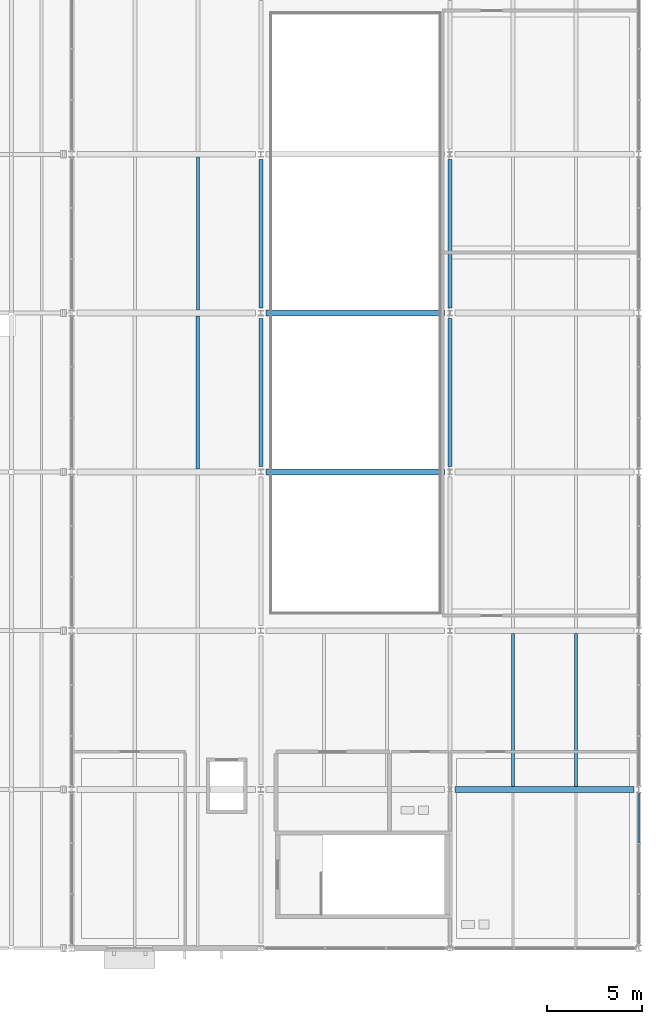
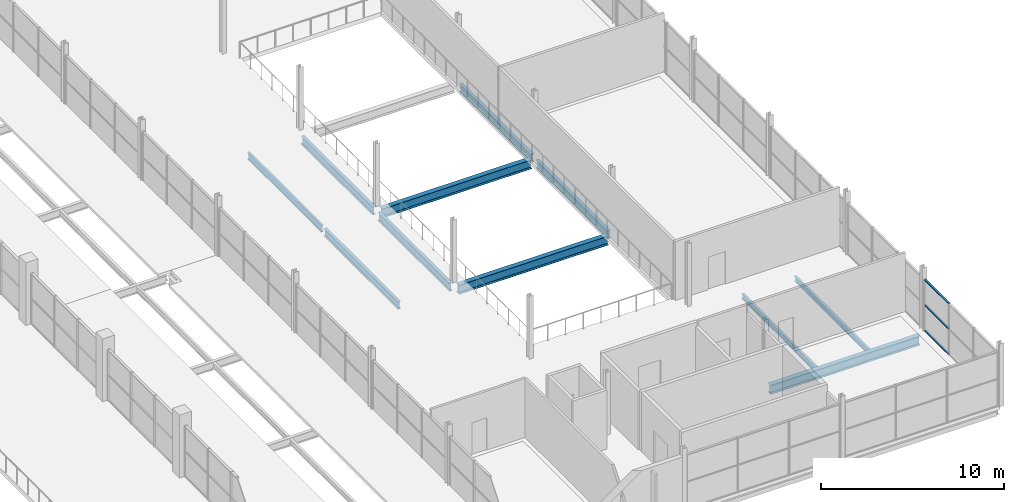
# One storey, part 103 of 161: 11 beams, 3 members, 1 element without a shape of its own.
"""IFC4 building model written with IfcOpenShell, lengths in metres."""

from ifc_helpers import new_model, si_unit, direction, frame, origin, origin_2d, place, context, subcontext, project, spatial, hollow_rectangle, i_section, extrude, material, material_profile, profile_set, type_object, element, aggregate, save


model = new_model("IFC4")

# Units and contexts
model_context = context("Model", 3, precision=1e-05, world=origin(), true_north=direction((0.0, 1.0)))
body_context = subcontext(model_context, "Body", "Model", "MODEL_VIEW")
ifc_project = project(units=[si_unit("LENGTHUNIT", "METRE"), si_unit("AREAUNIT", "SQUARE_METRE"), si_unit("VOLUMEUNIT", "CUBIC_METRE"), si_unit("PLANEANGLEUNIT", "RADIAN"), si_unit("MASSUNIT", "GRAM", prefix="KILO"), si_unit("THERMODYNAMICTEMPERATUREUNIT", "KELVIN")], contexts=[model_context])

# Site, building, storey
site_placement = place(None, origin())
site = spatial("IfcSite", under=ifc_project, at=site_placement, CompositionType="ELEMENT")
building_placement = place(site_placement, origin())
building = spatial("IfcBuilding", under=site, at=building_placement, Name="Nduvali Passage Aquatics Centre", CompositionType="ELEMENT")
storey_placement = place(building_placement, frame((0.0, 0.0, 4.800048828125)))
storey = spatial("IfcBuildingStorey", under=building, at=storey_placement, Name="L01", CompositionType="ELEMENT", Elevation=4.800048828125)

# Curtain wall, members
ifc_material_1 = material(Name="Aluminium EN AW-6063 T6", Category="aluminium")
curtain_wall_type = type_object("IfcCurtainWallType", Name="ENV-CW-FOYR", PredefinedType="NOTDEFINED", material=ifc_material_1)
curtain_wall_placement = place(storey_placement, origin())
curtain_wall = element("IfcCurtainWall", 1, at=curtain_wall_placement, inside=storey, type_object=curtain_wall_type, Name="L01 East Avenue Entrance End Upper CW 080", PredefinedType="NOTDEFINED")
ifc_material_profile_1 = material_profile(ifc_material_1, hollow_rectangle(XDim=0.1201171875, YDim=0.06005859375, WallThickness=0.00390625, at=origin_2d()), Name="ALU TRANSOM 120x60x4")
ifc_profile_set_1 = profile_set([ifc_material_profile_1], Name="Aluminium EN AW-6063 T6")
member_type = type_object("IfcMemberType", Name="ENV-MEM-TRN60", PredefinedType="USERDEFINED", material=ifc_profile_set_1)
member_1_placement = place(storey_placement, frame((168.0, 30.7783203125, 0.030029296875), z_axis=(0.0, 1.0, 0.0), x_axis=(-1.0, 0.0, 0.0)))
member_1 = element("IfcMember", 2, at=member_1_placement, type_object=member_type, Name="East Avenue Entrance End Upper CW Transom B3-R0", ObjectType="TRANSOM", PredefinedType="USERDEFINED", context=body_context, shape_type="SweptSolid", body=[
    extrude(hollow_rectangle(XDim=0.1201171875, YDim=0.06005859375, WallThickness=0.00390625, at=origin_2d()), origin(), (0.0, 0.0, 1.0), 2.606689453125),
])
member_2_placement = place(storey_placement, frame((168.0, 30.7783203125, 1.71826171875), z_axis=(0.0, 1.0, 0.0), x_axis=(-1.0, 0.0, 0.0)))
member_2 = element("IfcMember", 3, at=member_2_placement, type_object=member_type, Name="East Avenue Entrance End Upper CW Transom B3-R1", ObjectType="TRANSOM", PredefinedType="USERDEFINED", context=body_context, shape_type="SweptSolid", body=[
    extrude(hollow_rectangle(XDim=0.1201171875, YDim=0.06005859375, WallThickness=0.00390625, at=origin_2d()), origin(), (0.0, 0.0, 1.0), 2.606689453125),
])
member_3_placement = place(storey_placement, frame((168.0, 30.7783203125, 3.40625), z_axis=(0.0, 1.0, 0.0), x_axis=(-1.0, 0.0, 0.0)))
member_3 = element("IfcMember", 4, at=member_3_placement, type_object=member_type, Name="East Avenue Entrance End Upper CW Transom B3-R2", ObjectType="TRANSOM", PredefinedType="USERDEFINED", context=body_context, shape_type="SweptSolid", body=[
    extrude(hollow_rectangle(XDim=0.1201171875, YDim=0.06005859375, WallThickness=0.00390625, at=origin_2d()), origin(), (0.0, 0.0, 1.0), 2.606689453125),
])
aggregate(curtain_wall, [member_1, member_2, member_3])

# Beams
ifc_material_2 = material(Name="Steel S355", Category="steel")
ifc_material_profile_2 = material_profile(ifc_material_2, i_section(OverallWidth=0.210693359375, OverallDepth=0.53955078125, WebThickness=0.01171875, FlangeThickness=0.018798828125, FilletRadius=0.0126953125, at=origin_2d()), Name="UKB 533x210x109")
ifc_profile_set_2 = profile_set([ifc_material_profile_2], Name="Steel S355")
beam_type_1 = type_object("IfcBeamType", Name="STR-BM-UKB533", PredefinedType="BEAM", material=ifc_profile_set_2)
beam_1_placement = place(storey_placement, frame((148.0, 50.675048828125, -0.553955078125), z_axis=(0.0, 1.0, 0.0), x_axis=(-1.0, 0.0, 0.0)))
element("IfcBeam", 5, at=beam_1_placement, inside=storey, type_object=beam_type_1, Name="L01 Primary Y-Girder B6-0669", PredefinedType="BEAM", context=body_context, shape_type="SweptSolid", body=[
    extrude(i_section(OverallWidth=0.210693359375, OverallDepth=0.53955078125, WebThickness=0.01171875, FlangeThickness=0.018798828125, FilletRadius=0.0126953125, at=origin_2d()), origin(), (0.0, 0.0, 1.0), 7.849853515625),
])
beam_2_placement = place(storey_placement, frame((148.0, 59.074951171875, -0.553955078125), z_axis=(0.0, 1.0, 0.0), x_axis=(-1.0, 0.0, 0.0)))
element("IfcBeam", 6, at=beam_2_placement, inside=storey, type_object=beam_type_1, Name="L01 Primary Y-Girder B6-0670", PredefinedType="BEAM", context=body_context, shape_type="SweptSolid", body=[
    extrude(i_section(OverallWidth=0.210693359375, OverallDepth=0.53955078125, WebThickness=0.01171875, FlangeThickness=0.018798828125, FilletRadius=0.0126953125, at=origin_2d()), origin(), (0.0, 0.0, 1.0), 7.85009765625),
])
beam_3_placement = place(storey_placement, frame((158.0, 50.675048828125, -0.553955078125), z_axis=(0.0, 1.0, 0.0), x_axis=(-1.0, 0.0, 0.0)))
element("IfcBeam", 7, at=beam_3_placement, inside=storey, type_object=beam_type_1, Name="L01 Primary Y-Girder B6-0677", PredefinedType="BEAM", context=body_context, shape_type="SweptSolid", body=[
    extrude(i_section(OverallWidth=0.210693359375, OverallDepth=0.53955078125, WebThickness=0.01171875, FlangeThickness=0.018798828125, FilletRadius=0.0126953125, at=origin_2d()), origin(), (0.0, 0.0, 1.0), 7.849853515625),
])
beam_4_placement = place(storey_placement, frame((158.0, 59.074951171875, -0.553955078125), z_axis=(0.0, 1.0, 0.0), x_axis=(-1.0, 0.0, 0.0)))
element("IfcBeam", 8, at=beam_4_placement, inside=storey, type_object=beam_type_1, Name="L01 Primary Y-Girder B6-0678", PredefinedType="BEAM", context=body_context, shape_type="SweptSolid", body=[
    extrude(i_section(OverallWidth=0.210693359375, OverallDepth=0.53955078125, WebThickness=0.01171875, FlangeThickness=0.018798828125, FilletRadius=0.0126953125, at=origin_2d()), origin(), (0.0, 0.0, 1.0), 7.85009765625),
])
ifc_material_profile_3 = material_profile(ifc_material_2, i_section(OverallWidth=0.3046875, OverallDepth=0.6123046875, WebThickness=0.01171875, FlangeThickness=0.019775390625, FilletRadius=0.0166015625, at=origin_2d()), Name="UKB 610x305x149")
ifc_profile_set_3 = profile_set([ifc_material_profile_3], Name="Steel S355")
beam_type_2 = type_object("IfcBeamType", Name="STR-BM-UKB610W", PredefinedType="BEAM", material=ifc_profile_set_3)
for number, where, z_axis, x_axis, name in (
    (9, (158.27490234375, 33.60009765625, -0.59033203125), (1.0, 0.0, 0.0), (0.0, 1.0, 0.0), "L01 Primary X-Girder B5A-0471"),
    (10, (148.27490234375, 50.39990234375, -0.59033203125), (1.0, 0.0, 0.0), (0.0, 1.0, 0.0), "L01 Primary X-Girder B5A-0485"),
    (11, (148.27490234375, 58.800048828125, -0.59033203125), (1.0, 0.0, 0.0), (0.0, 1.0, 0.0), "L01 Primary X-Girder B5A-0491"),
):
    element("IfcBeam", number, at=place(storey_placement, frame(where, z_axis=z_axis, x_axis=x_axis)), inside=storey, type_object=beam_type_2, Name=name, PredefinedType="BEAM", context=body_context, shape_type="SweptSolid", body=[
        extrude(i_section(OverallWidth=0.3046875, OverallDepth=0.6123046875, WebThickness=0.01171875, FlangeThickness=0.019775390625, FilletRadius=0.0166015625, at=origin_2d()), origin(), (0.0, 0.0, 1.0), 9.4501953125),
    ])
ifc_material_profile_4 = material_profile(ifc_material_2, i_section(OverallWidth=0.159912109375, OverallDepth=0.330078125, WebThickness=0.007568359375, FlangeThickness=0.011474609375, FilletRadius=0.01806640625, at=origin_2d()), Name="IPE 330")
ifc_profile_set_4 = profile_set([ifc_material_profile_4], Name="Steel S355")
beam_type_3 = type_object("IfcBeamType", Name="STR-JST-IPE330", PredefinedType="JOIST", material=ifc_profile_set_4)
for number, where, z_axis, x_axis, name in (
    (12, (161.333251953125, 33.75244140625, -0.448974609375), (0.0, 1.0, 0.0), (-1.0, 0.0, 0.0), "L01 Secondary Joist J6A-0756"),
    (13, (164.666748046875, 33.75244140625, -0.448974609375), (0.0, 1.0, 0.0), (-1.0, 0.0, 0.0), "L01 Secondary Joist J6A-0757"),
):
    element("IfcBeam", number, at=place(storey_placement, frame(where, z_axis=z_axis, x_axis=x_axis)), inside=storey, type_object=beam_type_3, Name=name, PredefinedType="JOIST", context=body_context, shape_type="SweptSolid", body=[
        extrude(i_section(OverallWidth=0.159912109375, OverallDepth=0.330078125, WebThickness=0.007568359375, FlangeThickness=0.011474609375, FilletRadius=0.01806640625, at=origin_2d()), origin(), (0.0, 0.0, 1.0), 8.09521484375),
    ])
ifc_material_profile_5 = material_profile(ifc_material_2, i_section(OverallWidth=0.199951171875, OverallDepth=0.5, WebThickness=0.01025390625, FlangeThickness=0.01611328125, FilletRadius=0.02099609375, at=origin_2d()), Name="IPE 500")
ifc_profile_set_5 = profile_set([ifc_material_profile_5], Name="Steel S355")
beam_type_4 = type_object("IfcBeamType", Name="STR-JST-IPE500", PredefinedType="JOIST", material=ifc_profile_set_5)
beam_5_placement = place(storey_placement, frame((144.666748046875, 50.552490234375, -0.533935546875), z_axis=(0.0, 1.0, 0.0), x_axis=(-1.0, 0.0, 0.0)))
element("IfcBeam", 14, at=beam_5_placement, inside=storey, type_object=beam_type_4, Name="L01 Secondary Joist J5A-0769", PredefinedType="JOIST", context=body_context, shape_type="SweptSolid", body=[
    extrude(i_section(OverallWidth=0.199951171875, OverallDepth=0.5, WebThickness=0.01025390625, FlangeThickness=0.01611328125, FilletRadius=0.02099609375, at=origin_2d()), origin(), (0.0, 0.0, 1.0), 8.09521484375),
])
ifc_material_profile_6 = material_profile(ifc_material_2, i_section(OverallWidth=0.15283203125, OverallDepth=0.45458984375, WebThickness=0.008056640625, FlangeThickness=0.01318359375, FilletRadius=0.01025390625, at=origin_2d()), Name="UKB 457x152x60")
ifc_profile_set_6 = profile_set([ifc_material_profile_6], Name="Steel S355")
beam_type_5 = type_object("IfcBeamType", Name="STR-JST-UKB457L", PredefinedType="JOIST", material=ifc_profile_set_6)
beam_6_placement = place(storey_placement, frame((144.666748046875, 58.952392578125, -0.51123046875), z_axis=(0.0, 1.0, 0.0), x_axis=(-1.0, 0.0, 0.0)))
element("IfcBeam", 15, at=beam_6_placement, inside=storey, type_object=beam_type_5, Name="L01 Secondary Joist J1A-0776", PredefinedType="JOIST", context=body_context, shape_type="SweptSolid", body=[
    extrude(i_section(OverallWidth=0.15283203125, OverallDepth=0.45458984375, WebThickness=0.008056640625, FlangeThickness=0.01318359375, FilletRadius=0.01025390625, at=origin_2d()), origin(), (0.0, 0.0, 1.0), 8.09521484375),
])

save(model, "model.ifc")
